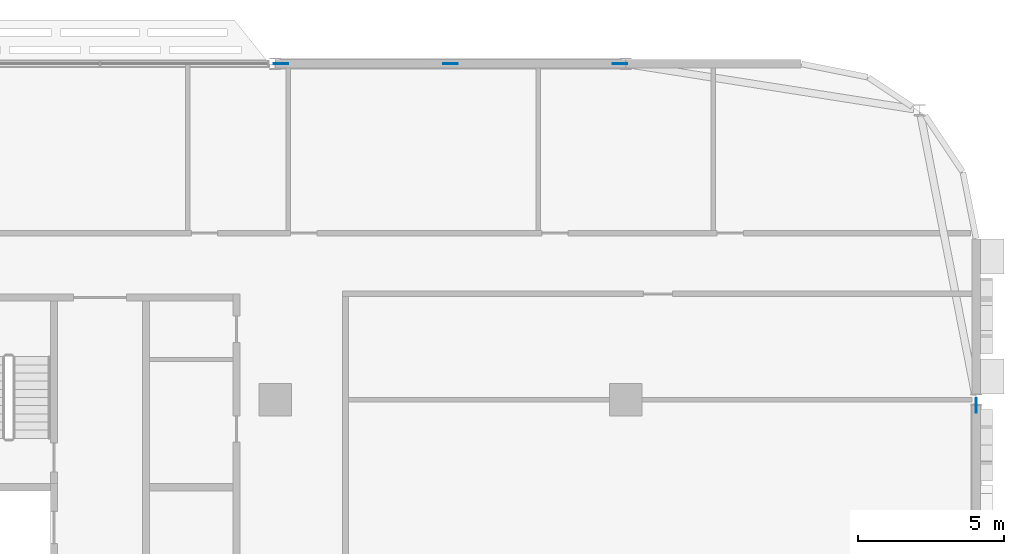
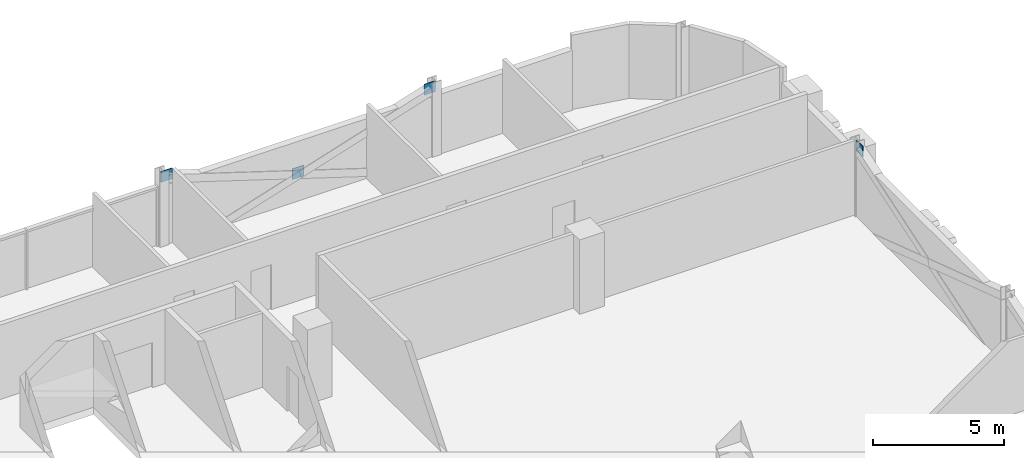
# One storey, part 23 of 29: 4 discrete accessories.
"""IFC4 building model written with IfcOpenShell, lengths in metres."""

from ifc_helpers import new_model, si_unit, direction, frame, origin, origin_2d, place, context, subcontext, project, spatial, rectangle, extrude, material, layer, layer_set, type_object, element, save


model = new_model("IFC4")

# Units and contexts
model_context = context("Model", 3, precision=1e-05, world=origin(), true_north=direction((0.0, 1.0)))
body_context = subcontext(model_context, "Body", "Model", "MODEL_VIEW")
ifc_project = project(units=[si_unit("LENGTHUNIT", "METRE"), si_unit("AREAUNIT", "SQUARE_METRE"), si_unit("VOLUMEUNIT", "CUBIC_METRE"), si_unit("PLANEANGLEUNIT", "RADIAN"), si_unit("MASSUNIT", "GRAM", prefix="KILO")], contexts=[model_context])

# Site, building, storey
site_placement = place(None, origin())
site = spatial("IfcSite", under=ifc_project, at=site_placement, CompositionType="ELEMENT")
building_placement = place(site_placement, origin())
building = spatial("IfcBuilding", under=site, at=building_placement, Name="Mahtab Terrace Research Tower", CompositionType="ELEMENT")
storey_placement = place(building_placement, frame((0.0, 0.0, 197.699951171875)))
storey = spatial("IfcBuildingStorey", under=building, at=storey_placement, Name="L47", CompositionType="ELEMENT", Elevation=197.699951171875)

# Discrete accessories
ifc_material = material(Name="Steel ASTM A992 Gr 50", Category="steel")
ifc_layer = layer(ifc_material, 0.030029296875)
ifc_layer_set = layer_set([ifc_layer], Name="Gusset plate 500x500x30")
discrete_accessory_type = type_object("IfcDiscreteAccessoryType", Name="Gusset plate 500x500x30", PredefinedType="USERDEFINED", material=ifc_layer_set)
for number, where, z_axis, x_axis, name in (
    (1, (30.20068359375, 23.0, 2.870849609375), (0.0, 0.0, 1.0), (1.0, 0.0, 0.0), "Gusset plate"),
    (2, (36.0, 23.0, 0.970947265625), (0.0, 0.0, 1.0), (1.0, 0.0, 0.0), "Gusset plate"),
    (3, (41.79931640625, 23.0, 2.870849609375), (0.0, 0.0, 1.0), (1.0, 0.0, 0.0), "Gusset plate"),
    (4, (54.0, 11.300537109375, 2.870849609375), (0.0, 0.0, 1.0), (0.0, 1.0, 0.0), "Gusset plate"),
):
    element("IfcDiscreteAccessory", number, at=place(storey_placement, frame(where, z_axis=z_axis, x_axis=x_axis)), inside=storey, type_object=discrete_accessory_type, Name=name, ObjectType="GUSSET PLATE", PredefinedType="USERDEFINED", context=body_context, shape_type="SweptSolid", body=[
        extrude(rectangle(XDim=0.5, YDim=0.030029296875, at=origin_2d()), origin(), (0.0, 0.0, 1.0), 0.5),
    ])

save(model, "model.ifc")
